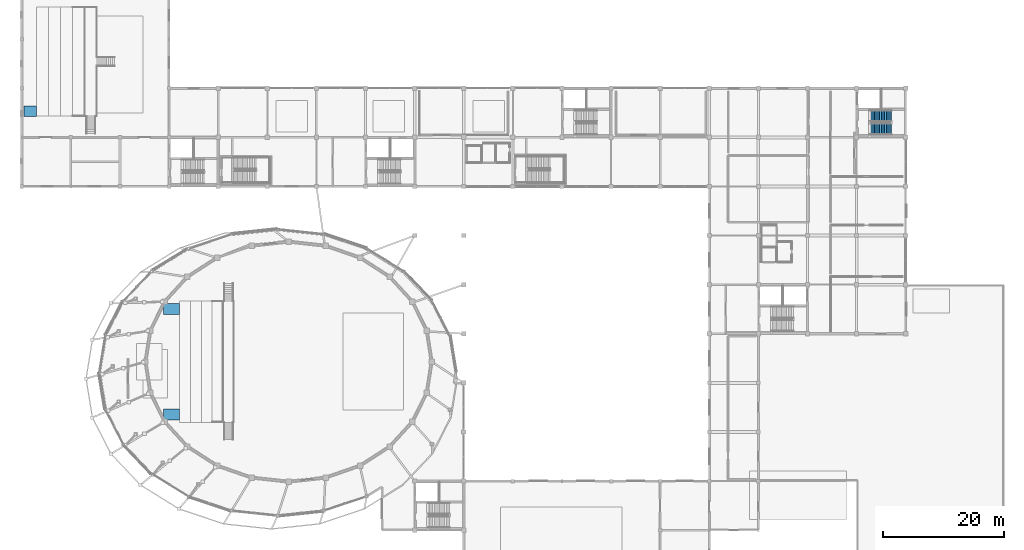
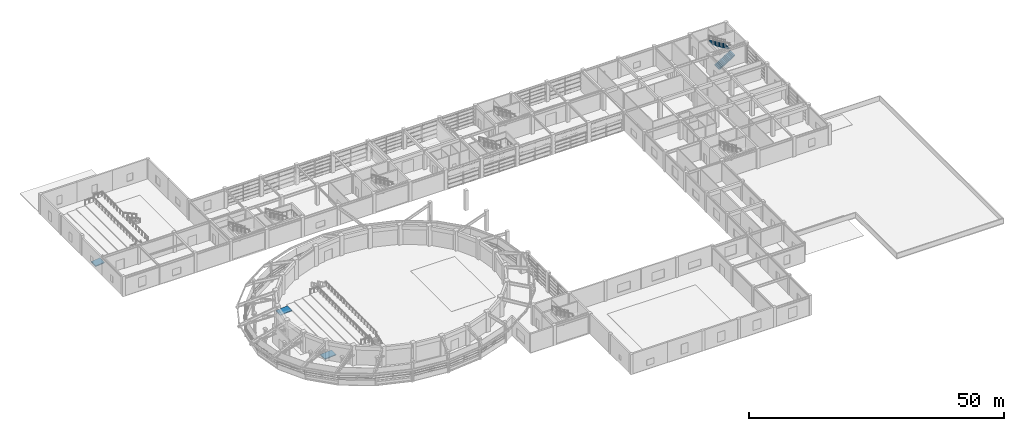
# One storey, part 45 of 56: 3 ramp flights, 2 stair flights, 4 elements without a shape of their own.
"""IFC4 building model written with IfcOpenShell, lengths in metres."""

from ifc_helpers import new_model, si_unit, direction, frame, origin, place, context, subcontext, project, spatial, polyline, outline, extrude, material, layer, layer_set, type_object, element, aggregate, save


model = new_model("IFC4")

# Units and contexts
model_context = context("Model", 3, precision=1e-05, world=origin(), true_north=direction((0.0, 1.0)))
body_context = subcontext(model_context, "Body", "Model", "MODEL_VIEW")
ifc_project = project(units=[si_unit("LENGTHUNIT", "METRE"), si_unit("AREAUNIT", "SQUARE_METRE"), si_unit("VOLUMEUNIT", "CUBIC_METRE"), si_unit("PLANEANGLEUNIT", "RADIAN"), si_unit("MASSUNIT", "GRAM", prefix="KILO")], contexts=[model_context])

# Site, building, storey
site_placement = place(None, origin())
site = spatial("IfcSite", under=ifc_project, at=site_placement, CompositionType="ELEMENT")
building_placement = place(site_placement, origin())
building = spatial("IfcBuilding", under=site, at=building_placement, Name="Parian Resonance Hall", CompositionType="ELEMENT")
storey_placement = place(building_placement, frame((0.0, 0.0, 5.39990234375)))
storey = spatial("IfcBuildingStorey", under=building, at=storey_placement, Name="L01", CompositionType="ELEMENT", Elevation=5.39990234375)

# Stair, stair flights
ifc_material_1 = material(Name="Concrete C40/50", Category="concrete")
stair_type = type_object("IfcStairType", Name="STAIR-CORE-1800", PredefinedType="HALF_TURN_STAIR", material=ifc_material_1)
stair_placement = place(storey_placement, origin())
stair = element("IfcStair", 1, at=stair_placement, inside=storey, type_object=stair_type, Name="L01 ST-06", PredefinedType="HALF_TURN_STAIR")
ifc_material_2 = material(Name="Concrete C40/50", Category="concrete")
stair_flight_type = type_object("IfcStairFlightType", Name="FLIGHT-1800", PredefinedType="STRAIGHT", material=ifc_material_2)
stair_flight_1_placement = place(storey_placement, frame((139.820068359375, 82.340087890625, 0.0), z_axis=(0.0, 0.0, 1.0), x_axis=(1.0, 0.0, 0.0)))
stair_flight_1 = element("IfcStairFlight", 2, at=stair_flight_1_placement, type_object=stair_flight_type, Name="ST-06 flight 1", NumberOfRisers=14, NumberOfTreads=13, PredefinedType="STRAIGHT", RiserHeight=0.171428571, TreadLength=0.28, context=body_context, shape_type="SweptSolid", body=[
    extrude(outline(polyline([(0.0, 0.0), (0.0, 0.17138671875), (0.280029296875, 0.17138671875), (0.280029296875, 0.3427734375), (0.56005859375, 0.3427734375), (0.56005859375, 0.514404296875), (0.840087890625, 0.514404296875), (0.840087890625, 0.685791015625), (1.1201171875, 0.685791015625), (1.1201171875, 0.857177734375), (1.39990234375, 0.857177734375), (1.39990234375, 1.028564453125), (1.679931640625, 1.028564453125), (1.679931640625, 1.199951171875), (1.9599609375, 1.199951171875), (1.9599609375, 1.371337890625), (2.239990234375, 1.371337890625), (2.239990234375, 1.54296875), (2.52001953125, 1.54296875), (2.52001953125, 1.71435546875), (2.800048828125, 1.71435546875), (2.800048828125, 1.8857421875), (3.080078125, 1.8857421875), (3.080078125, 2.05712890625), (3.360107421875, 2.05712890625), (3.360107421875, 2.228515625), (3.639892578125, 2.228515625), (3.639892578125, 2.39990234375), (3.639892578125, 2.052734375), (0.287109375, 0.0), (0.0, 0.0)])), frame((0.0, 0.93994140625, 0.0), z_axis=(0.0, -1.0, 0.0), x_axis=(1.0, 0.0, 0.0)), (0.0, 0.0, 1.0), 1.8798828125),
])
stair_flight_2_placement = place(storey_placement, frame((143.4599609375, 84.52001953125, 2.400146484375), z_axis=(0.0, 0.0, 1.0), x_axis=(-1.0, 0.0, 0.0)))
stair_flight_2 = element("IfcStairFlight", 3, at=stair_flight_2_placement, type_object=stair_flight_type, Name="ST-06 flight 2", NumberOfRisers=14, NumberOfTreads=13, PredefinedType="STRAIGHT", RiserHeight=0.171428571, TreadLength=0.28, context=body_context, shape_type="SweptSolid", body=[
    extrude(outline(polyline([(0.0, 0.0), (0.0, 0.17138671875), (0.280029296875, 0.17138671875), (0.280029296875, 0.3427734375), (0.56005859375, 0.3427734375), (0.56005859375, 0.514404296875), (0.840087890625, 0.514404296875), (0.840087890625, 0.685791015625), (1.1201171875, 0.685791015625), (1.1201171875, 0.857177734375), (1.39990234375, 0.857177734375), (1.39990234375, 1.028564453125), (1.679931640625, 1.028564453125), (1.679931640625, 1.199951171875), (1.9599609375, 1.199951171875), (1.9599609375, 1.371337890625), (2.239990234375, 1.371337890625), (2.239990234375, 1.54296875), (2.52001953125, 1.54296875), (2.52001953125, 1.71435546875), (2.800048828125, 1.71435546875), (2.800048828125, 1.8857421875), (3.080078125, 1.8857421875), (3.080078125, 2.05712890625), (3.360107421875, 2.05712890625), (3.360107421875, 2.228515625), (3.639892578125, 2.228515625), (3.639892578125, 2.39990234375), (3.639892578125, 2.052734375), (0.287109375, 0.0), (0.0, 0.0)])), frame((0.0, 0.93994140625, 0.0), z_axis=(0.0, -1.0, 0.0), x_axis=(1.0, 0.0, 0.0)), (0.0, 0.0, 1.0), 1.8798828125),
])
aggregate(stair, [stair_flight_1, stair_flight_2])

# Ramp, ramp flight
ifc_material_3 = material(Name="Concrete C35/45", Category="concrete")
ramp_type = type_object("IfcRampType", Name="RAMP-ACC", PredefinedType="STRAIGHT_RUN_RAMP", material=ifc_material_3)
ramp_1_placement = place(storey_placement, origin())
ramp_1 = element("IfcRamp", 4, at=ramp_1_placement, inside=storey, type_object=ramp_type, Name="Main Concert Hall stalls south wheelchair ramp", PredefinedType="STRAIGHT_RUN_RAMP")
ifc_material_4 = material(Name="Concrete C35/45", Category="concrete")
ifc_layer = layer(ifc_material_4, 0.199951171875)
ifc_layer_set = layer_set([ifc_layer], Name="Concrete C35/45")
ramp_flight_type = type_object("IfcRampFlightType", Name="RAMPFL-ACC-200", PredefinedType="STRAIGHT", material=ifc_layer_set)
ramp_flight_1_placement = place(storey_placement, frame((23.39990234375, 34.39990234375, 0.0), z_axis=(-0.080582159821, 0.0, 0.996747969909), x_axis=(0.0, 1.0, 0.0)))
ramp_flight_1 = element("IfcRampFlight", 5, at=ramp_flight_1_placement, type_object=ramp_flight_type, Name="Main Concert Hall stalls south wheelchair ramp flight", PredefinedType="STRAIGHT", context=body_context, shape_type="SweptSolid", body=[
    extrude(outline(polyline([(0.0, 0.0), (1.800048828125, 0.0), (1.800048828125, -2.6085808396341257), (0.0, -2.6085808396341257), (0.0, 0.0)])), origin(), (0.0, 0.0, -1.0), 0.199951171875),
])
aggregate(ramp_1, [ramp_flight_1])

ramp_2_placement = place(storey_placement, origin())
ramp_2 = element("IfcRamp", 6, at=ramp_2_placement, inside=storey, type_object=ramp_type, Name="Main Concert Hall stalls north wheelchair ramp", PredefinedType="STRAIGHT_RUN_RAMP")
ramp_flight_2_placement = place(storey_placement, frame((23.39990234375, 51.800048828125, 0.0), z_axis=(-0.080582159821, 0.0, 0.996747969909), x_axis=(0.0, 1.0, 0.0)))
ramp_flight_2 = element("IfcRampFlight", 7, at=ramp_flight_2_placement, type_object=ramp_flight_type, Name="Main Concert Hall stalls north wheelchair ramp flight", PredefinedType="STRAIGHT", context=body_context, shape_type="SweptSolid", body=[
    extrude(outline(polyline([(0.0, 0.0), (1.800048828125, 0.0), (1.800048828125, -2.6085808396341257), (0.0, -2.6085808396341257), (0.0, 0.0)])), origin(), (0.0, 0.0, -1.0), 0.199951171875),
])
aggregate(ramp_2, [ramp_flight_2])

ramp_3_placement = place(storey_placement, origin())
ramp_3 = element("IfcRamp", 8, at=ramp_3_placement, inside=storey, type_object=ramp_type, Name="Chamber Music Hall wheelchair tier ramp", PredefinedType="STRAIGHT_RUN_RAMP")
ramp_flight_3_placement = place(storey_placement, frame((0.39990234375, 84.39990234375, 0.0), z_axis=(-0.104526794788, 0.0, 0.994522070731), x_axis=(0.0, 1.0, 0.0)))
ramp_flight_3 = element("IfcRampFlight", 9, at=ramp_flight_3_placement, type_object=ramp_flight_type, Name="Chamber Music Hall wheelchair tier ramp flight", PredefinedType="STRAIGHT", context=body_context, shape_type="SweptSolid", body=[
    extrude(outline(polyline([(0.0, 0.0), (1.800048828125, 0.0), (1.800048828125, -2.01101620452684), (0.0, -2.01101620452684), (0.0, 0.0)])), origin(), (0.0, 0.0, -1.0), 0.199951171875),
])
aggregate(ramp_3, [ramp_flight_3])

save(model, "model.ifc")
